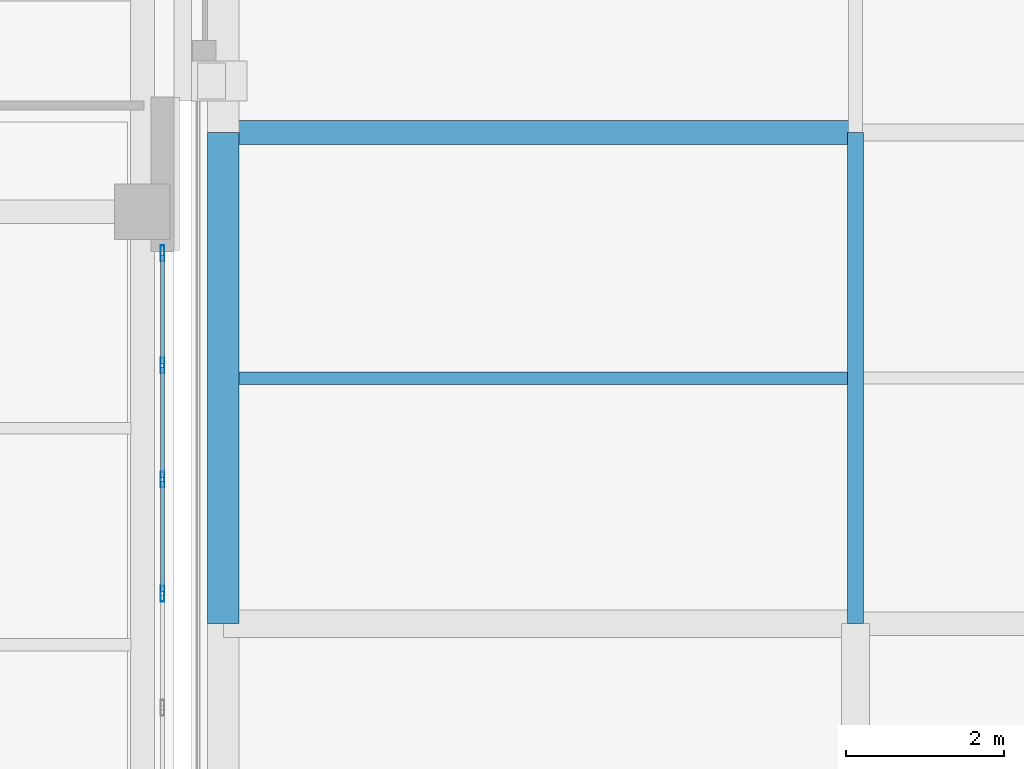
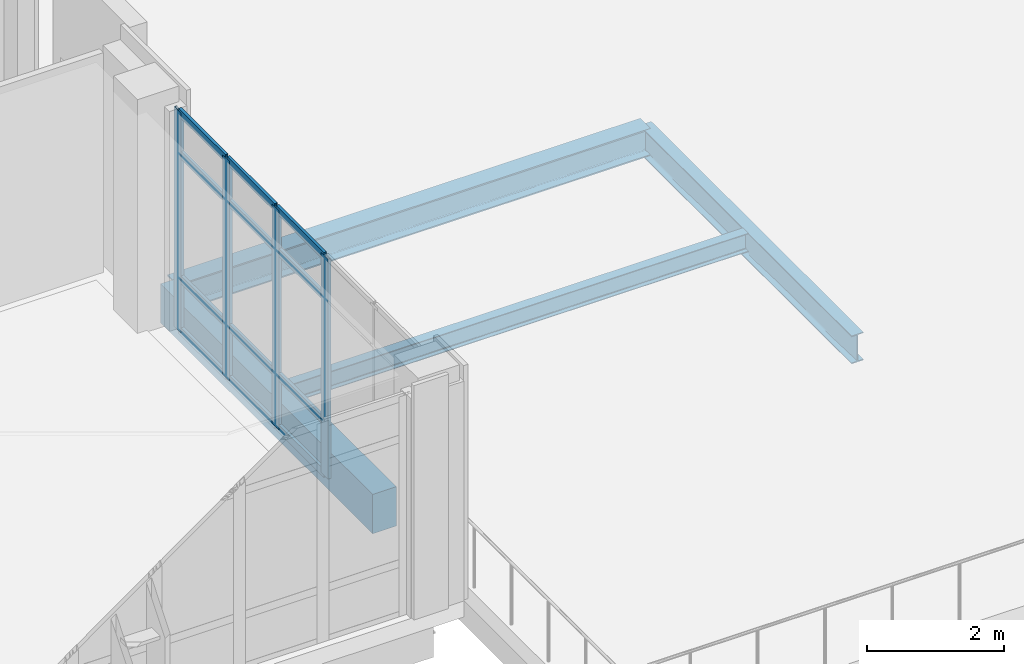
# One storey, part 49 of 165: 16 members, 4 beams, 1 element without a shape of its own.
"""IFC4 building model written with IfcOpenShell, lengths in metres."""

from ifc_helpers import new_model, si_unit, direction, frame, origin, origin_2d, place, context, subcontext, project, spatial, rectangle, hollow_rectangle, i_section, extrude, material, layer, layer_set, material_profile, profile_set, type_object, element, aggregate, save


model = new_model("IFC4")

# Units and contexts
model_context = context("Model", 3, precision=1e-05, world=origin(), true_north=direction((0.0, 1.0)))
body_context = subcontext(model_context, "Body", "Model", "MODEL_VIEW")
ifc_project = project(units=[si_unit("LENGTHUNIT", "METRE"), si_unit("AREAUNIT", "SQUARE_METRE"), si_unit("VOLUMEUNIT", "CUBIC_METRE"), si_unit("PLANEANGLEUNIT", "RADIAN"), si_unit("MASSUNIT", "GRAM", prefix="KILO")], contexts=[model_context])

# Site, building, storey
site_placement = place(None, origin())
site = spatial("IfcSite", under=ifc_project, at=site_placement, CompositionType="ELEMENT")
building_placement = place(site_placement, origin())
building = spatial("IfcBuilding", under=site, at=building_placement, Name="Qalavern Law Courts", CompositionType="ELEMENT")
storey_placement = place(building_placement, frame((0.0, 0.0, 14.39990234375)))
storey = spatial("IfcBuildingStorey", under=building, at=storey_placement, Name="L03", CompositionType="ELEMENT", Elevation=14.39990234375)

# Curtain wall, members
ifc_material_1 = material(Name="Anodised aluminium and insulated glazing", Category="aluminium")
ifc_layer = layer(ifc_material_1, 0.18505859375)
ifc_layer_set = layer_set([ifc_layer], Name="Anodised aluminium and insulated glazing")
curtain_wall_type = type_object("IfcCurtainWallType", Name="ENV-CW-HALL", PredefinedType="USERDEFINED", material=ifc_layer_set)
curtain_wall_placement = place(storey_placement, origin())
curtain_wall = element("IfcCurtainWall", 1, at=curtain_wall_placement, inside=storey, type_object=curtain_wall_type, Name="V2 unitised curtain wall L03 east 1", ObjectType="UNITISED CURTAIN WALL", PredefinedType="USERDEFINED")
ifc_material_2 = material(Name="Anodised aluminium", Category="aluminium")
ifc_material_profile_1 = material_profile(ifc_material_2, hollow_rectangle(XDim=0.048095703125, YDim=0.199951171875, WallThickness=0.00439453125, at=origin_2d()), Name="ALU MULLION 48x200")
ifc_profile_set_1 = profile_set([ifc_material_profile_1], Name="Anodised aluminium")
member_type_1 = type_object("IfcMemberType", Name="ENV-CWM-48x200", PredefinedType="MULLION", material=ifc_profile_set_1)
member_1_placement = place(storey_placement, frame((101.052490234375, 8.97998046875, 0.0), z_axis=(0.0, 0.0, 1.0), x_axis=(-1.0, 0.0, 0.0)))
member_1 = element("IfcMember", 2, at=member_1_placement, type_object=member_type_1, Name="CW-02 mullion 3", PredefinedType="MULLION", context=body_context, shape_type="SweptSolid", body=[
    extrude(hollow_rectangle(XDim=0.048095703125, YDim=0.199951171875, WallThickness=0.00439453125, at=origin_2d()), origin(), (0.0, 0.0, 1.0), 3.920166015625),
])
member_2_placement = place(storey_placement, frame((101.052490234375, 10.419921875, 0.0), z_axis=(0.0, 0.0, 1.0), x_axis=(-1.0, 0.0, 0.0)))
member_2 = element("IfcMember", 3, at=member_2_placement, type_object=member_type_1, Name="CW-02 mullion 4", PredefinedType="MULLION", context=body_context, shape_type="SweptSolid", body=[
    extrude(hollow_rectangle(XDim=0.048095703125, YDim=0.199951171875, WallThickness=0.00439453125, at=origin_2d()), origin(), (0.0, 0.0, 1.0), 3.920166015625),
])
member_3_placement = place(storey_placement, frame((101.052490234375, 11.860107421875, 0.0), z_axis=(0.0, 0.0, 1.0), x_axis=(-1.0, 0.0, 0.0)))
member_3 = element("IfcMember", 4, at=member_3_placement, type_object=member_type_1, Name="CW-02 mullion 5", PredefinedType="MULLION", context=body_context, shape_type="SweptSolid", body=[
    extrude(hollow_rectangle(XDim=0.048095703125, YDim=0.199951171875, WallThickness=0.00439453125, at=origin_2d()), origin(), (0.0, 0.0, 1.0), 3.920166015625),
])
member_4_placement = place(storey_placement, frame((101.052490234375, 13.27587890625, 0.0), z_axis=(0.0, 0.0, 1.0), x_axis=(-1.0, 0.0, 0.0)))
member_4 = element("IfcMember", 5, at=member_4_placement, type_object=member_type_1, Name="CW-02 mullion 6", PredefinedType="MULLION", context=body_context, shape_type="SweptSolid", body=[
    extrude(hollow_rectangle(XDim=0.048095703125, YDim=0.199951171875, WallThickness=0.00439453125, at=origin_2d()), origin(), (0.0, 0.0, 1.0), 3.920166015625),
])
ifc_material_profile_2 = material_profile(ifc_material_2, hollow_rectangle(XDim=0.048095703125, YDim=0.139892578125, WallThickness=0.00390625, at=origin_2d()), Name="ALU TRANSOM 48x140")
ifc_profile_set_2 = profile_set([ifc_material_profile_2], Name="Anodised aluminium")
member_type_2 = type_object("IfcMemberType", Name="ENV-CWT-48x140", PredefinedType="USERDEFINED", material=ifc_profile_set_2)
member_5_placement = place(storey_placement, frame((101.052490234375, 9.00390625, 0.024169921875), z_axis=(0.0, 1.0, 0.0), x_axis=(-1.0, 0.0, 0.0)))
member_5 = element("IfcMember", 6, at=member_5_placement, type_object=member_type_2, Name="CW-02 transom 3.1", ObjectType="TRANSOM", PredefinedType="USERDEFINED", context=body_context, shape_type="SweptSolid", body=[
    extrude(hollow_rectangle(XDim=0.048095703125, YDim=0.139892578125, WallThickness=0.00390625, at=origin_2d()), origin(), (0.0, 0.0, 1.0), 1.39208984375),
])
member_6_placement = place(storey_placement, frame((101.052490234375, 9.00390625, 0.9501953125), z_axis=(0.0, 1.0, 0.0), x_axis=(-1.0, 0.0, 0.0)))
member_6 = element("IfcMember", 7, at=member_6_placement, type_object=member_type_2, Name="CW-02 transom 3.2", ObjectType="TRANSOM", PredefinedType="USERDEFINED", context=body_context, shape_type="SweptSolid", body=[
    extrude(hollow_rectangle(XDim=0.048095703125, YDim=0.139892578125, WallThickness=0.00390625, at=origin_2d()), origin(), (0.0, 0.0, 1.0), 1.39208984375),
])
member_7_placement = place(storey_placement, frame((101.052490234375, 9.00390625, 3.170166015625), z_axis=(0.0, 1.0, 0.0), x_axis=(-1.0, 0.0, 0.0)))
member_7 = element("IfcMember", 8, at=member_7_placement, type_object=member_type_2, Name="CW-02 transom 3.3", ObjectType="TRANSOM", PredefinedType="USERDEFINED", context=body_context, shape_type="SweptSolid", body=[
    extrude(hollow_rectangle(XDim=0.048095703125, YDim=0.139892578125, WallThickness=0.00390625, at=origin_2d()), origin(), (0.0, 0.0, 1.0), 1.39208984375),
])
member_8_placement = place(storey_placement, frame((101.052490234375, 9.00390625, 3.89599609375), z_axis=(0.0, 1.0, 0.0), x_axis=(-1.0, 0.0, 0.0)))
member_8 = element("IfcMember", 9, at=member_8_placement, type_object=member_type_2, Name="CW-02 transom 3.4", ObjectType="TRANSOM", PredefinedType="USERDEFINED", context=body_context, shape_type="SweptSolid", body=[
    extrude(hollow_rectangle(XDim=0.048095703125, YDim=0.139892578125, WallThickness=0.00390625, at=origin_2d()), origin(), (0.0, 0.0, 1.0), 1.39208984375),
])
member_9_placement = place(storey_placement, frame((101.052490234375, 10.444091796875, 0.024169921875), z_axis=(0.0, 1.0, 0.0), x_axis=(-1.0, 0.0, 0.0)))
member_9 = element("IfcMember", 10, at=member_9_placement, type_object=member_type_2, Name="CW-02 transom 4.1", ObjectType="TRANSOM", PredefinedType="USERDEFINED", context=body_context, shape_type="SweptSolid", body=[
    extrude(hollow_rectangle(XDim=0.048095703125, YDim=0.139892578125, WallThickness=0.00390625, at=origin_2d()), origin(), (0.0, 0.0, 1.0), 1.391845703125),
])
member_10_placement = place(storey_placement, frame((101.052490234375, 10.444091796875, 0.9501953125), z_axis=(0.0, 1.0, 0.0), x_axis=(-1.0, 0.0, 0.0)))
member_10 = element("IfcMember", 11, at=member_10_placement, type_object=member_type_2, Name="CW-02 transom 4.2", ObjectType="TRANSOM", PredefinedType="USERDEFINED", context=body_context, shape_type="SweptSolid", body=[
    extrude(hollow_rectangle(XDim=0.048095703125, YDim=0.139892578125, WallThickness=0.00390625, at=origin_2d()), origin(), (0.0, 0.0, 1.0), 1.391845703125),
])
member_11_placement = place(storey_placement, frame((101.052490234375, 10.444091796875, 3.170166015625), z_axis=(0.0, 1.0, 0.0), x_axis=(-1.0, 0.0, 0.0)))
member_11 = element("IfcMember", 12, at=member_11_placement, type_object=member_type_2, Name="CW-02 transom 4.3", ObjectType="TRANSOM", PredefinedType="USERDEFINED", context=body_context, shape_type="SweptSolid", body=[
    extrude(hollow_rectangle(XDim=0.048095703125, YDim=0.139892578125, WallThickness=0.00390625, at=origin_2d()), origin(), (0.0, 0.0, 1.0), 1.391845703125),
])
member_12_placement = place(storey_placement, frame((101.052490234375, 10.444091796875, 3.89599609375), z_axis=(0.0, 1.0, 0.0), x_axis=(-1.0, 0.0, 0.0)))
member_12 = element("IfcMember", 13, at=member_12_placement, type_object=member_type_2, Name="CW-02 transom 4.4", ObjectType="TRANSOM", PredefinedType="USERDEFINED", context=body_context, shape_type="SweptSolid", body=[
    extrude(hollow_rectangle(XDim=0.048095703125, YDim=0.139892578125, WallThickness=0.00390625, at=origin_2d()), origin(), (0.0, 0.0, 1.0), 1.391845703125),
])
member_13_placement = place(storey_placement, frame((101.052490234375, 11.884033203125, 0.024169921875), z_axis=(0.0, 1.0, 0.0), x_axis=(-1.0, 0.0, 0.0)))
member_13 = element("IfcMember", 14, at=member_13_placement, type_object=member_type_2, Name="CW-02 transom 5.1", ObjectType="TRANSOM", PredefinedType="USERDEFINED", context=body_context, shape_type="SweptSolid", body=[
    extrude(hollow_rectangle(XDim=0.048095703125, YDim=0.139892578125, WallThickness=0.00390625, at=origin_2d()), origin(), (0.0, 0.0, 1.0), 1.367919921875),
])
member_14_placement = place(storey_placement, frame((101.052490234375, 11.884033203125, 0.9501953125), z_axis=(0.0, 1.0, 0.0), x_axis=(-1.0, 0.0, 0.0)))
member_14 = element("IfcMember", 15, at=member_14_placement, type_object=member_type_2, Name="CW-02 transom 5.2", ObjectType="TRANSOM", PredefinedType="USERDEFINED", context=body_context, shape_type="SweptSolid", body=[
    extrude(hollow_rectangle(XDim=0.048095703125, YDim=0.139892578125, WallThickness=0.00390625, at=origin_2d()), origin(), (0.0, 0.0, 1.0), 1.367919921875),
])
member_15_placement = place(storey_placement, frame((101.052490234375, 11.884033203125, 3.170166015625), z_axis=(0.0, 1.0, 0.0), x_axis=(-1.0, 0.0, 0.0)))
member_15 = element("IfcMember", 16, at=member_15_placement, type_object=member_type_2, Name="CW-02 transom 5.3", ObjectType="TRANSOM", PredefinedType="USERDEFINED", context=body_context, shape_type="SweptSolid", body=[
    extrude(hollow_rectangle(XDim=0.048095703125, YDim=0.139892578125, WallThickness=0.00390625, at=origin_2d()), origin(), (0.0, 0.0, 1.0), 1.367919921875),
])
member_16_placement = place(storey_placement, frame((101.052490234375, 11.884033203125, 3.89599609375), z_axis=(0.0, 1.0, 0.0), x_axis=(-1.0, 0.0, 0.0)))
member_16 = element("IfcMember", 17, at=member_16_placement, type_object=member_type_2, Name="CW-02 transom 5.4", ObjectType="TRANSOM", PredefinedType="USERDEFINED", context=body_context, shape_type="SweptSolid", body=[
    extrude(hollow_rectangle(XDim=0.048095703125, YDim=0.139892578125, WallThickness=0.00390625, at=origin_2d()), origin(), (0.0, 0.0, 1.0), 1.367919921875),
])
aggregate(curtain_wall, [member_1, member_2, member_3, member_4, member_5, member_6, member_7, member_8, member_9, member_10, member_11, member_12, member_13, member_14, member_15, member_16])

# Beams
ifc_material_3 = material(Name="Steel S355", Category="steel")
ifc_material_profile_3 = material_profile(ifc_material_3, i_section(OverallWidth=0.300048828125, OverallDepth=0.489990234375, WebThickness=0.011962890625, FlangeThickness=0.02294921875, FilletRadius=0.027099609375, at=origin_2d()), Name="HEA 500")
ifc_profile_set_3 = profile_set([ifc_material_profile_3], Name="Steel S355")
beam_type_1 = type_object("IfcBeamType", Name="STR-BM-HEA500", PredefinedType="BEAM", material=ifc_profile_set_3)
beam_1_placement = place(storey_placement, frame((101.820068359375, 14.800048828125, -0.556884765625), z_axis=(1.0, 0.0, 0.0), x_axis=(0.0, 1.0, 0.0)))
element("IfcBeam", 18, at=beam_1_placement, inside=storey, type_object=beam_type_1, Name="V6 X-beam 3-1 L03", PredefinedType="BEAM", context=body_context, shape_type="SweptSolid", body=[
    extrude(i_section(OverallWidth=0.300048828125, OverallDepth=0.489990234375, WebThickness=0.011962890625, FlangeThickness=0.02294921875, FilletRadius=0.027099609375, at=origin_2d()), origin(), (0.0, 0.0, 1.0), 7.97998046875),
])
ifc_material_profile_4 = material_profile(ifc_material_3, i_section(OverallWidth=0.199951171875, OverallDepth=0.5, WebThickness=0.01025390625, FlangeThickness=0.01611328125, FilletRadius=0.02099609375, at=origin_2d()), Name="IPE 500")
ifc_profile_set_4 = profile_set([ifc_material_profile_4], Name="Steel S355")
beam_type_2 = type_object("IfcBeamType", Name="STR-BM-IPE500", PredefinedType="BEAM", material=ifc_profile_set_4)
beam_2_placement = place(storey_placement, frame((109.800048828125, 8.60009765625, -0.56201171875), z_axis=(0.0, 1.0, 0.0), x_axis=(-1.0, 0.0, 0.0)))
element("IfcBeam", 19, at=beam_2_placement, inside=storey, type_object=beam_type_2, Name="V6 Y-beam 2-2 L03", PredefinedType="BEAM", context=body_context, shape_type="SweptSolid", body=[
    extrude(i_section(OverallWidth=0.199951171875, OverallDepth=0.5, WebThickness=0.01025390625, FlangeThickness=0.01611328125, FilletRadius=0.02099609375, at=origin_2d()), origin(), (0.0, 0.0, 1.0), 6.199951171875),
])
ifc_material_profile_5 = material_profile(ifc_material_3, i_section(OverallWidth=0.159912109375, OverallDepth=0.330078125, WebThickness=0.007568359375, FlangeThickness=0.011474609375, FilletRadius=0.01806640625, at=origin_2d()), Name="IPE 330")
ifc_profile_set_5 = profile_set([ifc_material_profile_5], Name="Steel S355")
beam_type_3 = type_object("IfcBeamType", Name="STR-JST-IPE330", PredefinedType="JOIST", material=ifc_profile_set_5)
beam_3_placement = place(storey_placement, frame((102.01806640625, 11.699951171875, -0.476806640625), z_axis=(1.0, 0.0, 0.0), x_axis=(0.0, 1.0, 0.0)))
element("IfcBeam", 20, at=beam_3_placement, inside=storey, type_object=beam_type_3, Name="V6 secondary joist 1.2.1 L03", PredefinedType="JOIST", context=body_context, shape_type="SweptSolid", body=[
    extrude(i_section(OverallWidth=0.159912109375, OverallDepth=0.330078125, WebThickness=0.007568359375, FlangeThickness=0.011474609375, FilletRadius=0.01806640625, at=origin_2d()), origin(), (0.0, 0.0, 1.0), 7.683837890625),
])
ifc_material_4 = material(Name="Concrete C40/50", Category="concrete")
ifc_material_profile_6 = material_profile(ifc_material_4, rectangle(XDim=0.39990234375, YDim=0.699951171875, at=origin_2d()), Name="RC 400x700")
ifc_profile_set_6 = profile_set([ifc_material_profile_6], Name="Concrete C40/50")
beam_type_4 = type_object("IfcBeamType", Name="STR-SP-RC400x700", PredefinedType="SPANDREL", material=ifc_profile_set_6)
beam_4_placement = place(storey_placement, frame((101.820068359375, 8.60009765625, -0.661865234375), z_axis=(0.0, 1.0, 0.0), x_axis=(-1.0, 0.0, 0.0)))
element("IfcBeam", 21, at=beam_4_placement, inside=storey, type_object=beam_type_4, Name="V6 Y-beam 1-2 L03", PredefinedType="SPANDREL", context=body_context, shape_type="SweptSolid", body=[
    extrude(rectangle(XDim=0.39990234375, YDim=0.699951171875, at=origin_2d()), origin(), (0.0, 0.0, 1.0), 6.199951171875),
])

save(model, "model.ifc")
